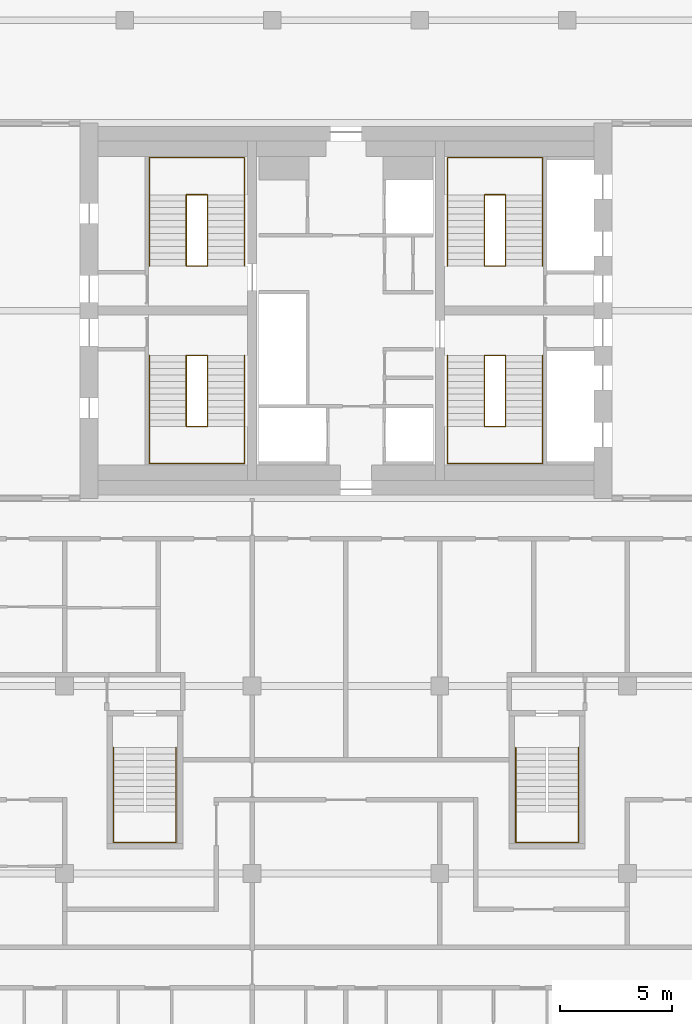
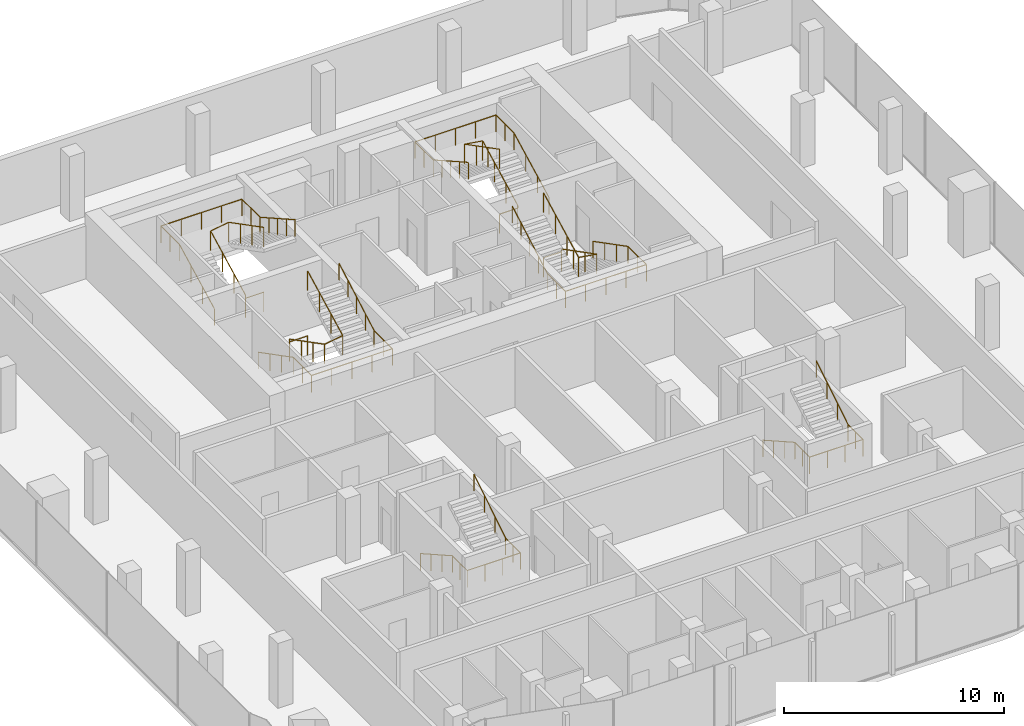
# One storey, part 20 of 20: 10 railings.
"""IFC4 building model written with IfcOpenShell, lengths in metres."""

from ifc_helpers import new_model, si_unit, direction, frame, origin, origin_2d, place, context, subcontext, project, spatial, circle, extrude, material, type_object, element, save


model = new_model("IFC4")

# Units and contexts
model_context = context("Model", 3, precision=1e-05, world=origin(), true_north=direction((0.0, 1.0)))
body_context = subcontext(model_context, "Body", "Model", "MODEL_VIEW")
ifc_project = project(units=[si_unit("LENGTHUNIT", "METRE"), si_unit("AREAUNIT", "SQUARE_METRE"), si_unit("VOLUMEUNIT", "CUBIC_METRE"), si_unit("PLANEANGLEUNIT", "RADIAN"), si_unit("MASSUNIT", "GRAM", prefix="KILO")], contexts=[model_context])

# Site, building, storey
site_placement = place(None, origin())
site = spatial("IfcSite", under=ifc_project, at=site_placement, CompositionType="ELEMENT")
building_placement = place(site_placement, origin())
building = spatial("IfcBuilding", under=site, at=building_placement, Name="Marenta Gate Hotel Tower", CompositionType="ELEMENT")
storey_placement = place(building_placement, frame((0.0, 0.0, 216.5)))
storey = spatial("IfcBuildingStorey", under=building, at=storey_placement, Name="L50", CompositionType="ELEMENT", Elevation=216.5)

# Railings
ifc_material_1 = material(Name="Stainless steel", Category="steel")
railing_type_1 = type_object("IfcRailingType", Name="Core stair handrail 950", PredefinedType="HANDRAIL", material=ifc_material_1)
railing_1_placement = place(storey_placement, frame((-8.800048828125, 6.39990234375, 0.14990234375)))
element("IfcRailing", 1, at=railing_1_placement, inside=storey, type_object=railing_type_1, Name="HR-950 L50-KR-ST1-1", PredefinedType="HANDRAIL", context=body_context, shape_type="SweptSolid", body=[
    extrude(circle(Radius=0.02392578125, at=origin_2d()), frame((0.0, 0.0, 0.92578125), z_axis=(0.0, -0.888197555067, 0.459461753765), x_axis=(1.0, 0.0, 0.0)), (0.0, 0.0, 1.0), 3.591552734375),
    extrude(circle(Radius=0.02392578125, at=origin_2d()), frame((0.0, -3.18994140625, 2.576171875), z_axis=(0.0, -1.0, 0.0), x_axis=(1.0, 0.0, 0.0)), (0.0, 0.0, 1.0), 1.659912109375),
    extrude(circle(Radius=0.02392578125, at=origin_2d()), frame((0.0, -4.849853515625, 2.576171875), z_axis=(1.0, 0.0, 0.0), x_axis=(0.0, 1.0, 0.0)), (0.0, 0.0, 1.0), 4.25),
    extrude(circle(Radius=0.02392578125, at=origin_2d()), frame((4.25, -4.849853515625, 2.576171875), z_axis=(0.0, 1.0, 0.0), x_axis=(-1.0, 0.0, 0.0)), (0.0, 0.0, 1.0), 1.659912109375),
    extrude(circle(Radius=0.02392578125, at=origin_2d()), frame((4.25, -3.18994140625, 2.576171875), z_axis=(0.0, 0.87090897868, 0.491444351738), x_axis=(-1.0, 0.0, 0.0)), (0.0, 0.0, 1.0), 3.662841796875),
    extrude(circle(Radius=0.02099609375, at=origin_2d()), origin(), (0.0, 0.0, 1.0), 0.90185546875),
    extrude(circle(Radius=0.02099609375, at=origin_2d()), frame((0.0, -1.063232421875, 0.550048828125)), (0.0, 0.0, 1.0), 0.90185546875),
    extrude(circle(Radius=0.02099609375, at=origin_2d()), frame((0.0, -2.126708984375, 1.10009765625)), (0.0, 0.0, 1.0), 0.90185546875),
    extrude(circle(Radius=0.02099609375, at=origin_2d()), frame((0.0, -3.18994140625, 1.650146484375)), (0.0, 0.0, 1.0), 0.90185546875),
    extrude(circle(Radius=0.02099609375, at=origin_2d()), frame((0.0, -4.02001953125, 1.650146484375)), (0.0, 0.0, 1.0), 0.90185546875),
    extrude(circle(Radius=0.02099609375, at=origin_2d()), frame((0.0, -4.849853515625, 1.650146484375)), (0.0, 0.0, 1.0), 0.90185546875),
    extrude(circle(Radius=0.02099609375, at=origin_2d()), frame((1.0625, -4.849853515625, 1.650146484375)), (0.0, 0.0, 1.0), 0.90185546875),
    extrude(circle(Radius=0.02099609375, at=origin_2d()), frame((2.125, -4.849853515625, 1.650146484375)), (0.0, 0.0, 1.0), 0.90185546875),
    extrude(circle(Radius=0.02099609375, at=origin_2d()), frame((3.1875, -4.849853515625, 1.650146484375)), (0.0, 0.0, 1.0), 0.90185546875),
    extrude(circle(Radius=0.02099609375, at=origin_2d()), frame((4.25, -4.849853515625, 1.650146484375)), (0.0, 0.0, 1.0), 0.90185546875),
    extrude(circle(Radius=0.02099609375, at=origin_2d()), frame((4.25, -4.02001953125, 1.650146484375)), (0.0, 0.0, 1.0), 0.90185546875),
    extrude(circle(Radius=0.02099609375, at=origin_2d()), frame((4.25, -3.18994140625, 1.650146484375)), (0.0, 0.0, 1.0), 0.90185546875),
    extrude(circle(Radius=0.02099609375, at=origin_2d()), frame((4.25, -2.392578125, 2.10009765625)), (0.0, 0.0, 1.0), 0.90185546875),
    extrude(circle(Radius=0.02099609375, at=origin_2d()), frame((4.25, -1.594970703125, 2.55029296875)), (0.0, 0.0, 1.0), 0.90185546875),
    extrude(circle(Radius=0.02099609375, at=origin_2d()), frame((4.25, -0.79736328125, 3.000244140625)), (0.0, 0.0, 1.0), 0.90185546875),
    extrude(circle(Radius=0.02099609375, at=origin_2d()), frame((4.25, 0.0, 3.4501953125)), (0.0, 0.0, 1.0), 0.90185546875),
])
railing_2_placement = place(storey_placement, frame((-8.800048828125, 10.39990234375, 0.14990234375)))
element("IfcRailing", 2, at=railing_2_placement, inside=storey, type_object=railing_type_1, Name="HR-950 L50-KR-ST2-1", PredefinedType="HANDRAIL", context=body_context, shape_type="SweptSolid", body=[
    extrude(circle(Radius=0.02392578125, at=origin_2d()), frame((0.0, 0.0, 0.92578125), z_axis=(0.0, 0.888211904222, 0.459434013977), x_axis=(-1.0, 0.0, 0.0)), (0.0, 0.0, 1.0), 3.591796875),
    extrude(circle(Radius=0.02392578125, at=origin_2d()), frame((0.0, 3.190185546875, 2.576171875), z_axis=(0.0, 1.0, 0.0), x_axis=(-1.0, 0.0, 0.0)), (0.0, 0.0, 1.0), 1.659912109375),
    extrude(circle(Radius=0.02392578125, at=origin_2d()), frame((0.0, 4.85009765625, 2.576171875), z_axis=(1.0, 0.0, 0.0), x_axis=(0.0, 1.0, 0.0)), (0.0, 0.0, 1.0), 4.25),
    extrude(circle(Radius=0.02392578125, at=origin_2d()), frame((4.25, 4.85009765625, 2.576171875), z_axis=(0.0, -1.0, 0.0), x_axis=(1.0, 0.0, 0.0)), (0.0, 0.0, 1.0), 1.659912109375),
    extrude(circle(Radius=0.02392578125, at=origin_2d()), frame((4.25, 3.190185546875, 2.576171875), z_axis=(0.0, -0.870925075533, 0.491415824742), x_axis=(1.0, 0.0, 0.0)), (0.0, 0.0, 1.0), 3.6630859375),
    extrude(circle(Radius=0.02099609375, at=origin_2d()), origin(), (0.0, 0.0, 1.0), 0.90185546875),
    extrude(circle(Radius=0.02099609375, at=origin_2d()), frame((0.0, 1.0634765625, 0.550048828125)), (0.0, 0.0, 1.0), 0.90185546875),
    extrude(circle(Radius=0.02099609375, at=origin_2d()), frame((0.0, 2.126708984375, 1.10009765625)), (0.0, 0.0, 1.0), 0.90185546875),
    extrude(circle(Radius=0.02099609375, at=origin_2d()), frame((0.0, 3.190185546875, 1.650146484375)), (0.0, 0.0, 1.0), 0.90185546875),
    extrude(circle(Radius=0.02099609375, at=origin_2d()), frame((0.0, 4.02001953125, 1.650146484375)), (0.0, 0.0, 1.0), 0.90185546875),
    extrude(circle(Radius=0.02099609375, at=origin_2d()), frame((0.0, 4.85009765625, 1.650146484375)), (0.0, 0.0, 1.0), 0.90185546875),
    extrude(circle(Radius=0.02099609375, at=origin_2d()), frame((1.0625, 4.85009765625, 1.650146484375)), (0.0, 0.0, 1.0), 0.90185546875),
    extrude(circle(Radius=0.02099609375, at=origin_2d()), frame((2.125, 4.85009765625, 1.650146484375)), (0.0, 0.0, 1.0), 0.90185546875),
    extrude(circle(Radius=0.02099609375, at=origin_2d()), frame((3.1875, 4.85009765625, 1.650146484375)), (0.0, 0.0, 1.0), 0.90185546875),
    extrude(circle(Radius=0.02099609375, at=origin_2d()), frame((4.25, 4.85009765625, 1.650146484375)), (0.0, 0.0, 1.0), 0.90185546875),
    extrude(circle(Radius=0.02099609375, at=origin_2d()), frame((4.25, 4.02001953125, 1.650146484375)), (0.0, 0.0, 1.0), 0.90185546875),
    extrude(circle(Radius=0.02099609375, at=origin_2d()), frame((4.25, 3.190185546875, 1.650146484375)), (0.0, 0.0, 1.0), 0.90185546875),
    extrude(circle(Radius=0.02099609375, at=origin_2d()), frame((4.25, 2.392578125, 2.10009765625)), (0.0, 0.0, 1.0), 0.90185546875),
    extrude(circle(Radius=0.02099609375, at=origin_2d()), frame((4.25, 1.59521484375, 2.55029296875)), (0.0, 0.0, 1.0), 0.90185546875),
    extrude(circle(Radius=0.02099609375, at=origin_2d()), frame((4.25, 0.797607421875, 3.000244140625)), (0.0, 0.0, 1.0), 0.90185546875),
    extrude(circle(Radius=0.02099609375, at=origin_2d()), frame((4.25, 0.0, 3.4501953125)), (0.0, 0.0, 1.0), 0.90185546875),
])
railing_3_placement = place(storey_placement, frame((8.800048828125, 6.39990234375, 0.14990234375)))
element("IfcRailing", 3, at=railing_3_placement, inside=storey, type_object=railing_type_1, Name="HR-950 L50-KR-ST3-1", PredefinedType="HANDRAIL", context=body_context, shape_type="SweptSolid", body=[
    extrude(circle(Radius=0.02392578125, at=origin_2d()), frame((0.0, 0.0, 0.92578125), z_axis=(0.0, -0.888197555067, 0.459461753765), x_axis=(1.0, 0.0, 0.0)), (0.0, 0.0, 1.0), 3.591552734375),
    extrude(circle(Radius=0.02392578125, at=origin_2d()), frame((0.0, -3.18994140625, 2.576171875), z_axis=(0.0, -1.0, 0.0), x_axis=(1.0, 0.0, 0.0)), (0.0, 0.0, 1.0), 1.659912109375),
    extrude(circle(Radius=0.02392578125, at=origin_2d()), frame((0.0, -4.849853515625, 2.576171875), z_axis=(-1.0, 0.0, 0.0), x_axis=(0.0, -1.0, 0.0)), (0.0, 0.0, 1.0), 4.25),
    extrude(circle(Radius=0.02392578125, at=origin_2d()), frame((-4.25, -4.849853515625, 2.576171875), z_axis=(0.0, 1.0, 0.0), x_axis=(-1.0, 0.0, 0.0)), (0.0, 0.0, 1.0), 1.659912109375),
    extrude(circle(Radius=0.02392578125, at=origin_2d()), frame((-4.25, -3.18994140625, 2.576171875), z_axis=(0.0, 0.87090897868, 0.491444351738), x_axis=(-1.0, 0.0, 0.0)), (0.0, 0.0, 1.0), 3.662841796875),
    extrude(circle(Radius=0.02099609375, at=origin_2d()), origin(), (0.0, 0.0, 1.0), 0.90185546875),
    extrude(circle(Radius=0.02099609375, at=origin_2d()), frame((0.0, -1.063232421875, 0.550048828125)), (0.0, 0.0, 1.0), 0.90185546875),
    extrude(circle(Radius=0.02099609375, at=origin_2d()), frame((0.0, -2.126708984375, 1.10009765625)), (0.0, 0.0, 1.0), 0.90185546875),
    extrude(circle(Radius=0.02099609375, at=origin_2d()), frame((0.0, -3.18994140625, 1.650146484375)), (0.0, 0.0, 1.0), 0.90185546875),
    extrude(circle(Radius=0.02099609375, at=origin_2d()), frame((0.0, -4.02001953125, 1.650146484375)), (0.0, 0.0, 1.0), 0.90185546875),
    extrude(circle(Radius=0.02099609375, at=origin_2d()), frame((0.0, -4.849853515625, 1.650146484375)), (0.0, 0.0, 1.0), 0.90185546875),
    extrude(circle(Radius=0.02099609375, at=origin_2d()), frame((-1.0625, -4.849853515625, 1.650146484375)), (0.0, 0.0, 1.0), 0.90185546875),
    extrude(circle(Radius=0.02099609375, at=origin_2d()), frame((-2.125, -4.849853515625, 1.650146484375)), (0.0, 0.0, 1.0), 0.90185546875),
    extrude(circle(Radius=0.02099609375, at=origin_2d()), frame((-3.1875, -4.849853515625, 1.650146484375)), (0.0, 0.0, 1.0), 0.90185546875),
    extrude(circle(Radius=0.02099609375, at=origin_2d()), frame((-4.25, -4.849853515625, 1.650146484375)), (0.0, 0.0, 1.0), 0.90185546875),
    extrude(circle(Radius=0.02099609375, at=origin_2d()), frame((-4.25, -4.02001953125, 1.650146484375)), (0.0, 0.0, 1.0), 0.90185546875),
    extrude(circle(Radius=0.02099609375, at=origin_2d()), frame((-4.25, -3.18994140625, 1.650146484375)), (0.0, 0.0, 1.0), 0.90185546875),
    extrude(circle(Radius=0.02099609375, at=origin_2d()), frame((-4.25, -2.392578125, 2.10009765625)), (0.0, 0.0, 1.0), 0.90185546875),
    extrude(circle(Radius=0.02099609375, at=origin_2d()), frame((-4.25, -1.594970703125, 2.55029296875)), (0.0, 0.0, 1.0), 0.90185546875),
    extrude(circle(Radius=0.02099609375, at=origin_2d()), frame((-4.25, -0.79736328125, 3.000244140625)), (0.0, 0.0, 1.0), 0.90185546875),
    extrude(circle(Radius=0.02099609375, at=origin_2d()), frame((-4.25, 0.0, 3.4501953125)), (0.0, 0.0, 1.0), 0.90185546875),
])
railing_4_placement = place(storey_placement, frame((8.800048828125, 10.39990234375, 0.14990234375)))
element("IfcRailing", 4, at=railing_4_placement, inside=storey, type_object=railing_type_1, Name="HR-950 L50-KR-ST4-1", PredefinedType="HANDRAIL", context=body_context, shape_type="SweptSolid", body=[
    extrude(circle(Radius=0.02392578125, at=origin_2d()), frame((0.0, 0.0, 0.92578125), z_axis=(0.0, 0.888211904222, 0.459434013977), x_axis=(-1.0, 0.0, 0.0)), (0.0, 0.0, 1.0), 3.591796875),
    extrude(circle(Radius=0.02392578125, at=origin_2d()), frame((0.0, 3.190185546875, 2.576171875), z_axis=(0.0, 1.0, 0.0), x_axis=(-1.0, 0.0, 0.0)), (0.0, 0.0, 1.0), 1.659912109375),
    extrude(circle(Radius=0.02392578125, at=origin_2d()), frame((0.0, 4.85009765625, 2.576171875), z_axis=(-1.0, 0.0, 0.0), x_axis=(0.0, -1.0, 0.0)), (0.0, 0.0, 1.0), 4.25),
    extrude(circle(Radius=0.02392578125, at=origin_2d()), frame((-4.25, 4.85009765625, 2.576171875), z_axis=(0.0, -1.0, 0.0), x_axis=(1.0, 0.0, 0.0)), (0.0, 0.0, 1.0), 1.659912109375),
    extrude(circle(Radius=0.02392578125, at=origin_2d()), frame((-4.25, 3.190185546875, 2.576171875), z_axis=(0.0, -0.870925075533, 0.491415824742), x_axis=(1.0, 0.0, 0.0)), (0.0, 0.0, 1.0), 3.6630859375),
    extrude(circle(Radius=0.02099609375, at=origin_2d()), origin(), (0.0, 0.0, 1.0), 0.90185546875),
    extrude(circle(Radius=0.02099609375, at=origin_2d()), frame((0.0, 1.0634765625, 0.550048828125)), (0.0, 0.0, 1.0), 0.90185546875),
    extrude(circle(Radius=0.02099609375, at=origin_2d()), frame((0.0, 2.126708984375, 1.10009765625)), (0.0, 0.0, 1.0), 0.90185546875),
    extrude(circle(Radius=0.02099609375, at=origin_2d()), frame((0.0, 3.190185546875, 1.650146484375)), (0.0, 0.0, 1.0), 0.90185546875),
    extrude(circle(Radius=0.02099609375, at=origin_2d()), frame((0.0, 4.02001953125, 1.650146484375)), (0.0, 0.0, 1.0), 0.90185546875),
    extrude(circle(Radius=0.02099609375, at=origin_2d()), frame((0.0, 4.85009765625, 1.650146484375)), (0.0, 0.0, 1.0), 0.90185546875),
    extrude(circle(Radius=0.02099609375, at=origin_2d()), frame((-1.0625, 4.85009765625, 1.650146484375)), (0.0, 0.0, 1.0), 0.90185546875),
    extrude(circle(Radius=0.02099609375, at=origin_2d()), frame((-2.125, 4.85009765625, 1.650146484375)), (0.0, 0.0, 1.0), 0.90185546875),
    extrude(circle(Radius=0.02099609375, at=origin_2d()), frame((-3.1875, 4.85009765625, 1.650146484375)), (0.0, 0.0, 1.0), 0.90185546875),
    extrude(circle(Radius=0.02099609375, at=origin_2d()), frame((-4.25, 4.85009765625, 1.650146484375)), (0.0, 0.0, 1.0), 0.90185546875),
    extrude(circle(Radius=0.02099609375, at=origin_2d()), frame((-4.25, 4.02001953125, 1.650146484375)), (0.0, 0.0, 1.0), 0.90185546875),
    extrude(circle(Radius=0.02099609375, at=origin_2d()), frame((-4.25, 3.190185546875, 1.650146484375)), (0.0, 0.0, 1.0), 0.90185546875),
    extrude(circle(Radius=0.02099609375, at=origin_2d()), frame((-4.25, 2.392578125, 2.10009765625)), (0.0, 0.0, 1.0), 0.90185546875),
    extrude(circle(Radius=0.02099609375, at=origin_2d()), frame((-4.25, 1.59521484375, 2.55029296875)), (0.0, 0.0, 1.0), 0.90185546875),
    extrude(circle(Radius=0.02099609375, at=origin_2d()), frame((-4.25, 0.797607421875, 3.000244140625)), (0.0, 0.0, 1.0), 0.90185546875),
    extrude(circle(Radius=0.02099609375, at=origin_2d()), frame((-4.25, 0.0, 3.4501953125)), (0.0, 0.0, 1.0), 0.90185546875),
])
railing_5_placement = place(storey_placement, frame((-10.39990234375, -11.14990234375, 0.16357421875)))
element("IfcRailing", 5, at=railing_5_placement, inside=storey, type_object=railing_type_1, Name="HR-950 L50-RS-Z3-1-KR-1", PredefinedType="HANDRAIL", context=body_context, shape_type="SweptSolid", body=[
    extrude(circle(Radius=0.02392578125, at=origin_2d()), frame((0.0, 0.0, 0.92578125), z_axis=(0.0, -0.870914908162, 0.491433843708), x_axis=(1.0, 0.0, 0.0)), (0.0, 0.0, 1.0), 3.330078125),
    extrude(circle(Radius=0.02392578125, at=origin_2d()), frame((0.0, -2.900146484375, 2.5625), z_axis=(0.0, -1.0, 0.0), x_axis=(1.0, 0.0, 0.0)), (0.0, 0.0, 1.0), 1.349853515625),
    extrude(circle(Radius=0.02392578125, at=origin_2d()), frame((0.0, -4.25, 2.5625), z_axis=(1.0, 0.0, 0.0), x_axis=(0.0, 1.0, 0.0)), (0.0, 0.0, 1.0), 2.7998046875),
    extrude(circle(Radius=0.02392578125, at=origin_2d()), frame((2.7998046875, -4.25, 2.5625), z_axis=(0.0, 1.0, 0.0), x_axis=(-1.0, 0.0, 0.0)), (0.0, 0.0, 1.0), 1.349853515625),
    extrude(circle(Radius=0.02392578125, at=origin_2d()), frame((2.7998046875, -2.900146484375, 2.5625), z_axis=(0.0, 0.849645691689, 0.527353959494), x_axis=(-1.0, 0.0, 0.0)), (0.0, 0.0, 1.0), 3.413330078125),
    extrude(circle(Radius=0.02099609375, at=origin_2d()), origin(), (0.0, 0.0, 1.0), 0.90185546875),
    extrude(circle(Radius=0.02099609375, at=origin_2d()), frame((0.0, -0.966796875, 0.54541015625)), (0.0, 0.0, 1.0), 0.90185546875),
    extrude(circle(Radius=0.02099609375, at=origin_2d()), frame((0.0, -1.933349609375, 1.091064453125)), (0.0, 0.0, 1.0), 0.90185546875),
    extrude(circle(Radius=0.02099609375, at=origin_2d()), frame((0.0, -2.900146484375, 1.636474609375)), (0.0, 0.0, 1.0), 0.90185546875),
    extrude(circle(Radius=0.02099609375, at=origin_2d()), frame((0.0, -3.5751953125, 1.636474609375)), (0.0, 0.0, 1.0), 0.90185546875),
    extrude(circle(Radius=0.02099609375, at=origin_2d()), frame((0.0, -4.25, 1.636474609375)), (0.0, 0.0, 1.0), 0.90185546875),
    extrude(circle(Radius=0.02099609375, at=origin_2d()), frame((0.933349609375, -4.25, 1.636474609375)), (0.0, 0.0, 1.0), 0.90185546875),
    extrude(circle(Radius=0.02099609375, at=origin_2d()), frame((1.866455078125, -4.25, 1.636474609375)), (0.0, 0.0, 1.0), 0.90185546875),
    extrude(circle(Radius=0.02099609375, at=origin_2d()), frame((2.7998046875, -4.25, 1.636474609375)), (0.0, 0.0, 1.0), 0.90185546875),
    extrude(circle(Radius=0.02099609375, at=origin_2d()), frame((2.7998046875, -3.5751953125, 1.636474609375)), (0.0, 0.0, 1.0), 0.90185546875),
    extrude(circle(Radius=0.02099609375, at=origin_2d()), frame((2.7998046875, -2.900146484375, 1.636474609375)), (0.0, 0.0, 1.0), 0.90185546875),
    extrude(circle(Radius=0.02099609375, at=origin_2d()), frame((2.7998046875, -1.933349609375, 2.236572265625)), (0.0, 0.0, 1.0), 0.90185546875),
    extrude(circle(Radius=0.02099609375, at=origin_2d()), frame((2.7998046875, -0.966796875, 2.83642578125)), (0.0, 0.0, 1.0), 0.90185546875),
    extrude(circle(Radius=0.02099609375, at=origin_2d()), frame((2.7998046875, 0.0, 3.4365234375)), (0.0, 0.0, 1.0), 0.90185546875),
])
railing_6_placement = place(storey_placement, frame((7.60009765625, -11.14990234375, 0.16357421875)))
element("IfcRailing", 6, at=railing_6_placement, inside=storey, type_object=railing_type_1, Name="HR-950 L50-RS-Z3-2-KR-1", PredefinedType="HANDRAIL", context=body_context, shape_type="SweptSolid", body=[
    extrude(circle(Radius=0.02392578125, at=origin_2d()), frame((0.0, 0.0, 0.92578125), z_axis=(0.0, -0.870914908162, 0.491433843708), x_axis=(1.0, 0.0, 0.0)), (0.0, 0.0, 1.0), 3.330078125),
    extrude(circle(Radius=0.02392578125, at=origin_2d()), frame((0.0, -2.900146484375, 2.5625), z_axis=(0.0, -1.0, 0.0), x_axis=(1.0, 0.0, 0.0)), (0.0, 0.0, 1.0), 1.349853515625),
    extrude(circle(Radius=0.02392578125, at=origin_2d()), frame((0.0, -4.25, 2.5625), z_axis=(1.0, 0.0, 0.0), x_axis=(0.0, 1.0, 0.0)), (0.0, 0.0, 1.0), 2.7998046875),
    extrude(circle(Radius=0.02392578125, at=origin_2d()), frame((2.7998046875, -4.25, 2.5625), z_axis=(0.0, 1.0, 0.0), x_axis=(-1.0, 0.0, 0.0)), (0.0, 0.0, 1.0), 1.349853515625),
    extrude(circle(Radius=0.02392578125, at=origin_2d()), frame((2.7998046875, -2.900146484375, 2.5625), z_axis=(0.0, 0.849645691689, 0.527353959494), x_axis=(-1.0, 0.0, 0.0)), (0.0, 0.0, 1.0), 3.413330078125),
    extrude(circle(Radius=0.02099609375, at=origin_2d()), origin(), (0.0, 0.0, 1.0), 0.90185546875),
    extrude(circle(Radius=0.02099609375, at=origin_2d()), frame((0.0, -0.966796875, 0.54541015625)), (0.0, 0.0, 1.0), 0.90185546875),
    extrude(circle(Radius=0.02099609375, at=origin_2d()), frame((0.0, -1.933349609375, 1.091064453125)), (0.0, 0.0, 1.0), 0.90185546875),
    extrude(circle(Radius=0.02099609375, at=origin_2d()), frame((0.0, -2.900146484375, 1.636474609375)), (0.0, 0.0, 1.0), 0.90185546875),
    extrude(circle(Radius=0.02099609375, at=origin_2d()), frame((0.0, -3.5751953125, 1.636474609375)), (0.0, 0.0, 1.0), 0.90185546875),
    extrude(circle(Radius=0.02099609375, at=origin_2d()), frame((0.0, -4.25, 1.636474609375)), (0.0, 0.0, 1.0), 0.90185546875),
    extrude(circle(Radius=0.02099609375, at=origin_2d()), frame((0.933349609375, -4.25, 1.636474609375)), (0.0, 0.0, 1.0), 0.90185546875),
    extrude(circle(Radius=0.02099609375, at=origin_2d()), frame((1.866455078125, -4.25, 1.636474609375)), (0.0, 0.0, 1.0), 0.90185546875),
    extrude(circle(Radius=0.02099609375, at=origin_2d()), frame((2.7998046875, -4.25, 1.636474609375)), (0.0, 0.0, 1.0), 0.90185546875),
    extrude(circle(Radius=0.02099609375, at=origin_2d()), frame((2.7998046875, -3.5751953125, 1.636474609375)), (0.0, 0.0, 1.0), 0.90185546875),
    extrude(circle(Radius=0.02099609375, at=origin_2d()), frame((2.7998046875, -2.900146484375, 1.636474609375)), (0.0, 0.0, 1.0), 0.90185546875),
    extrude(circle(Radius=0.02099609375, at=origin_2d()), frame((2.7998046875, -1.933349609375, 2.236572265625)), (0.0, 0.0, 1.0), 0.90185546875),
    extrude(circle(Radius=0.02099609375, at=origin_2d()), frame((2.7998046875, -0.966796875, 2.83642578125)), (0.0, 0.0, 1.0), 0.90185546875),
    extrude(circle(Radius=0.02099609375, at=origin_2d()), frame((2.7998046875, 0.0, 3.4365234375)), (0.0, 0.0, 1.0), 0.90185546875),
])
ifc_material_2 = material(Name="Stainless steel", Category="steel")
railing_type_2 = type_object("IfcRailingType", Name="Core stair well guard 1100", PredefinedType="GUARDRAIL", material=ifc_material_2)
railing_7_placement = place(storey_placement, frame((-6.199951171875, 6.39990234375, 0.0)))
element("IfcRailing", 7, at=railing_7_placement, inside=storey, type_object=railing_type_2, Name="GR-1100 L50-KR-ST1-2", PredefinedType="GUARDRAIL", context=body_context, shape_type="SweptSolid", body=[
    extrude(circle(Radius=0.02392578125, at=origin_2d()), frame((0.0, 0.0, 1.076171875), z_axis=(-1.0, 0.0, 0.0), x_axis=(0.0, -1.0, 0.0)), (0.0, 0.0, 1.0), 0.949951171875),
    extrude(circle(Radius=0.02392578125, at=origin_2d()), frame((-0.949951171875, 0.0, 1.076171875), z_axis=(0.0, 0.0, 1.0), x_axis=(1.0, 0.0, 0.0)), (0.0, 0.0, 1.0), 0.14990234375),
    extrude(circle(Radius=0.02392578125, at=origin_2d()), frame((-0.949951171875, 0.0, 1.22607421875), z_axis=(0.0, -0.888197555067, 0.459461753765), x_axis=(1.0, 0.0, 0.0)), (0.0, 0.0, 1.0), 3.591552734375),
    extrude(circle(Radius=0.02392578125, at=origin_2d()), frame((-0.949951171875, -3.18994140625, 2.8759765625), z_axis=(0.987777369502, 0.0, 0.15587131968), x_axis=(0.0, 1.0, 0.0)), (0.0, 0.0, 1.0), 0.961669921875),
    extrude(circle(Radius=0.02392578125, at=origin_2d()), frame((0.0, -3.18994140625, 3.02587890625), z_axis=(0.0, 0.888197555067, 0.459461753765), x_axis=(-1.0, 0.0, 0.0)), (0.0, 0.0, 1.0), 3.591552734375),
    extrude(circle(Radius=0.02099609375, at=origin_2d()), origin(), (0.0, 0.0, 1.0), 1.052001953125),
    extrude(circle(Radius=0.02099609375, at=origin_2d()), frame((-0.949951171875, 0.0, 0.0)), (0.0, 0.0, 1.0), 1.052001953125),
    extrude(circle(Radius=0.02099609375, at=origin_2d()), frame((-0.949951171875, 0.0, 0.14990234375)), (0.0, 0.0, 1.0), 1.052001953125),
    extrude(circle(Radius=0.02099609375, at=origin_2d()), frame((-0.949951171875, -1.063232421875, 0.699951171875)), (0.0, 0.0, 1.0), 1.052001953125),
    extrude(circle(Radius=0.02099609375, at=origin_2d()), frame((-0.949951171875, -2.126708984375, 1.25)), (0.0, 0.0, 1.0), 1.052001953125),
    extrude(circle(Radius=0.02099609375, at=origin_2d()), frame((-0.949951171875, -3.18994140625, 1.800048828125)), (0.0, 0.0, 1.0), 1.052001953125),
    extrude(circle(Radius=0.02099609375, at=origin_2d()), frame((0.0, -3.18994140625, 1.949951171875)), (0.0, 0.0, 1.0), 1.052001953125),
    extrude(circle(Radius=0.02099609375, at=origin_2d()), frame((0.0, -2.126708984375, 2.5)), (0.0, 0.0, 1.0), 1.052001953125),
    extrude(circle(Radius=0.02099609375, at=origin_2d()), frame((0.0, -1.063232421875, 3.050048828125)), (0.0, 0.0, 1.0), 1.052001953125),
    extrude(circle(Radius=0.02099609375, at=origin_2d()), frame((0.0, 0.0, 3.60009765625)), (0.0, 0.0, 1.0), 1.052001953125),
])
railing_8_placement = place(storey_placement, frame((-6.199951171875, 10.39990234375, 0.0)))
element("IfcRailing", 8, at=railing_8_placement, inside=storey, type_object=railing_type_2, Name="GR-1100 L50-KR-ST2-2", PredefinedType="GUARDRAIL", context=body_context, shape_type="SweptSolid", body=[
    extrude(circle(Radius=0.02392578125, at=origin_2d()), frame((0.0, 0.0, 1.076171875), z_axis=(-1.0, 0.0, 0.0), x_axis=(0.0, -1.0, 0.0)), (0.0, 0.0, 1.0), 0.949951171875),
    extrude(circle(Radius=0.02392578125, at=origin_2d()), frame((-0.949951171875, 0.0, 1.076171875), z_axis=(0.0, 0.0, 1.0), x_axis=(1.0, 0.0, 0.0)), (0.0, 0.0, 1.0), 0.14990234375),
    extrude(circle(Radius=0.02392578125, at=origin_2d()), frame((-0.949951171875, 0.0, 1.22607421875), z_axis=(0.0, 0.888211904222, 0.459434013977), x_axis=(-1.0, 0.0, 0.0)), (0.0, 0.0, 1.0), 3.591796875),
    extrude(circle(Radius=0.02392578125, at=origin_2d()), frame((-0.949951171875, 3.190185546875, 2.8759765625), z_axis=(0.987777369502, 0.0, 0.15587131968), x_axis=(0.0, 1.0, 0.0)), (0.0, 0.0, 1.0), 0.961669921875),
    extrude(circle(Radius=0.02392578125, at=origin_2d()), frame((0.0, 3.190185546875, 3.02587890625), z_axis=(0.0, -0.888211904222, 0.459434013977), x_axis=(1.0, 0.0, 0.0)), (0.0, 0.0, 1.0), 3.591796875),
    extrude(circle(Radius=0.02099609375, at=origin_2d()), origin(), (0.0, 0.0, 1.0), 1.052001953125),
    extrude(circle(Radius=0.02099609375, at=origin_2d()), frame((-0.949951171875, 0.0, 0.0)), (0.0, 0.0, 1.0), 1.052001953125),
    extrude(circle(Radius=0.02099609375, at=origin_2d()), frame((-0.949951171875, 0.0, 0.14990234375)), (0.0, 0.0, 1.0), 1.052001953125),
    extrude(circle(Radius=0.02099609375, at=origin_2d()), frame((-0.949951171875, 1.0634765625, 0.699951171875)), (0.0, 0.0, 1.0), 1.052001953125),
    extrude(circle(Radius=0.02099609375, at=origin_2d()), frame((-0.949951171875, 2.126708984375, 1.25)), (0.0, 0.0, 1.0), 1.052001953125),
    extrude(circle(Radius=0.02099609375, at=origin_2d()), frame((-0.949951171875, 3.190185546875, 1.800048828125)), (0.0, 0.0, 1.0), 1.052001953125),
    extrude(circle(Radius=0.02099609375, at=origin_2d()), frame((0.0, 3.190185546875, 1.949951171875)), (0.0, 0.0, 1.0), 1.052001953125),
    extrude(circle(Radius=0.02099609375, at=origin_2d()), frame((0.0, 2.126708984375, 2.5)), (0.0, 0.0, 1.0), 1.052001953125),
    extrude(circle(Radius=0.02099609375, at=origin_2d()), frame((0.0, 1.0634765625, 3.050048828125)), (0.0, 0.0, 1.0), 1.052001953125),
    extrude(circle(Radius=0.02099609375, at=origin_2d()), frame((0.0, 0.0, 3.60009765625)), (0.0, 0.0, 1.0), 1.052001953125),
])
railing_9_placement = place(storey_placement, frame((6.199951171875, 6.39990234375, 0.0)))
element("IfcRailing", 9, at=railing_9_placement, inside=storey, type_object=railing_type_2, Name="GR-1100 L50-KR-ST3-2", PredefinedType="GUARDRAIL", context=body_context, shape_type="SweptSolid", body=[
    extrude(circle(Radius=0.02392578125, at=origin_2d()), frame((0.0, 0.0, 1.076171875), z_axis=(1.0, 0.0, 0.0), x_axis=(0.0, 1.0, 0.0)), (0.0, 0.0, 1.0), 0.949951171875),
    extrude(circle(Radius=0.02392578125, at=origin_2d()), frame((0.949951171875, 0.0, 1.076171875), z_axis=(0.0, 0.0, 1.0), x_axis=(1.0, 0.0, 0.0)), (0.0, 0.0, 1.0), 0.14990234375),
    extrude(circle(Radius=0.02392578125, at=origin_2d()), frame((0.949951171875, 0.0, 1.22607421875), z_axis=(0.0, -0.888197555067, 0.459461753765), x_axis=(1.0, 0.0, 0.0)), (0.0, 0.0, 1.0), 3.591552734375),
    extrude(circle(Radius=0.02392578125, at=origin_2d()), frame((0.949951171875, -3.18994140625, 2.8759765625), z_axis=(-0.987777369502, 0.0, 0.15587131968), x_axis=(0.0, -1.0, 0.0)), (0.0, 0.0, 1.0), 0.961669921875),
    extrude(circle(Radius=0.02392578125, at=origin_2d()), frame((0.0, -3.18994140625, 3.02587890625), z_axis=(0.0, 0.888197555067, 0.459461753765), x_axis=(-1.0, 0.0, 0.0)), (0.0, 0.0, 1.0), 3.591552734375),
    extrude(circle(Radius=0.02099609375, at=origin_2d()), origin(), (0.0, 0.0, 1.0), 1.052001953125),
    extrude(circle(Radius=0.02099609375, at=origin_2d()), frame((0.949951171875, 0.0, 0.0)), (0.0, 0.0, 1.0), 1.052001953125),
    extrude(circle(Radius=0.02099609375, at=origin_2d()), frame((0.949951171875, 0.0, 0.14990234375)), (0.0, 0.0, 1.0), 1.052001953125),
    extrude(circle(Radius=0.02099609375, at=origin_2d()), frame((0.949951171875, -1.063232421875, 0.699951171875)), (0.0, 0.0, 1.0), 1.052001953125),
    extrude(circle(Radius=0.02099609375, at=origin_2d()), frame((0.949951171875, -2.126708984375, 1.25)), (0.0, 0.0, 1.0), 1.052001953125),
    extrude(circle(Radius=0.02099609375, at=origin_2d()), frame((0.949951171875, -3.18994140625, 1.800048828125)), (0.0, 0.0, 1.0), 1.052001953125),
    extrude(circle(Radius=0.02099609375, at=origin_2d()), frame((0.0, -3.18994140625, 1.949951171875)), (0.0, 0.0, 1.0), 1.052001953125),
    extrude(circle(Radius=0.02099609375, at=origin_2d()), frame((0.0, -2.126708984375, 2.5)), (0.0, 0.0, 1.0), 1.052001953125),
    extrude(circle(Radius=0.02099609375, at=origin_2d()), frame((0.0, -1.063232421875, 3.050048828125)), (0.0, 0.0, 1.0), 1.052001953125),
    extrude(circle(Radius=0.02099609375, at=origin_2d()), frame((0.0, 0.0, 3.60009765625)), (0.0, 0.0, 1.0), 1.052001953125),
])
railing_10_placement = place(storey_placement, frame((6.199951171875, 10.39990234375, 0.0)))
element("IfcRailing", 10, at=railing_10_placement, inside=storey, type_object=railing_type_2, Name="GR-1100 L50-KR-ST4-2", PredefinedType="GUARDRAIL", context=body_context, shape_type="SweptSolid", body=[
    extrude(circle(Radius=0.02392578125, at=origin_2d()), frame((0.0, 0.0, 1.076171875), z_axis=(1.0, 0.0, 0.0), x_axis=(0.0, 1.0, 0.0)), (0.0, 0.0, 1.0), 0.949951171875),
    extrude(circle(Radius=0.02392578125, at=origin_2d()), frame((0.949951171875, 0.0, 1.076171875), z_axis=(0.0, 0.0, 1.0), x_axis=(1.0, 0.0, 0.0)), (0.0, 0.0, 1.0), 0.14990234375),
    extrude(circle(Radius=0.02392578125, at=origin_2d()), frame((0.949951171875, 0.0, 1.22607421875), z_axis=(0.0, 0.888211904222, 0.459434013977), x_axis=(-1.0, 0.0, 0.0)), (0.0, 0.0, 1.0), 3.591796875),
    extrude(circle(Radius=0.02392578125, at=origin_2d()), frame((0.949951171875, 3.190185546875, 2.8759765625), z_axis=(-0.987777369502, 0.0, 0.15587131968), x_axis=(0.0, -1.0, 0.0)), (0.0, 0.0, 1.0), 0.961669921875),
    extrude(circle(Radius=0.02392578125, at=origin_2d()), frame((0.0, 3.190185546875, 3.02587890625), z_axis=(0.0, -0.888211904222, 0.459434013977), x_axis=(1.0, 0.0, 0.0)), (0.0, 0.0, 1.0), 3.591796875),
    extrude(circle(Radius=0.02099609375, at=origin_2d()), origin(), (0.0, 0.0, 1.0), 1.052001953125),
    extrude(circle(Radius=0.02099609375, at=origin_2d()), frame((0.949951171875, 0.0, 0.0)), (0.0, 0.0, 1.0), 1.052001953125),
    extrude(circle(Radius=0.02099609375, at=origin_2d()), frame((0.949951171875, 0.0, 0.14990234375)), (0.0, 0.0, 1.0), 1.052001953125),
    extrude(circle(Radius=0.02099609375, at=origin_2d()), frame((0.949951171875, 1.0634765625, 0.699951171875)), (0.0, 0.0, 1.0), 1.052001953125),
    extrude(circle(Radius=0.02099609375, at=origin_2d()), frame((0.949951171875, 2.126708984375, 1.25)), (0.0, 0.0, 1.0), 1.052001953125),
    extrude(circle(Radius=0.02099609375, at=origin_2d()), frame((0.949951171875, 3.190185546875, 1.800048828125)), (0.0, 0.0, 1.0), 1.052001953125),
    extrude(circle(Radius=0.02099609375, at=origin_2d()), frame((0.0, 3.190185546875, 1.949951171875)), (0.0, 0.0, 1.0), 1.052001953125),
    extrude(circle(Radius=0.02099609375, at=origin_2d()), frame((0.0, 2.126708984375, 2.5)), (0.0, 0.0, 1.0), 1.052001953125),
    extrude(circle(Radius=0.02099609375, at=origin_2d()), frame((0.0, 1.0634765625, 3.050048828125)), (0.0, 0.0, 1.0), 1.052001953125),
    extrude(circle(Radius=0.02099609375, at=origin_2d()), frame((0.0, 0.0, 3.60009765625)), (0.0, 0.0, 1.0), 1.052001953125),
])

save(model, "model.ifc")
